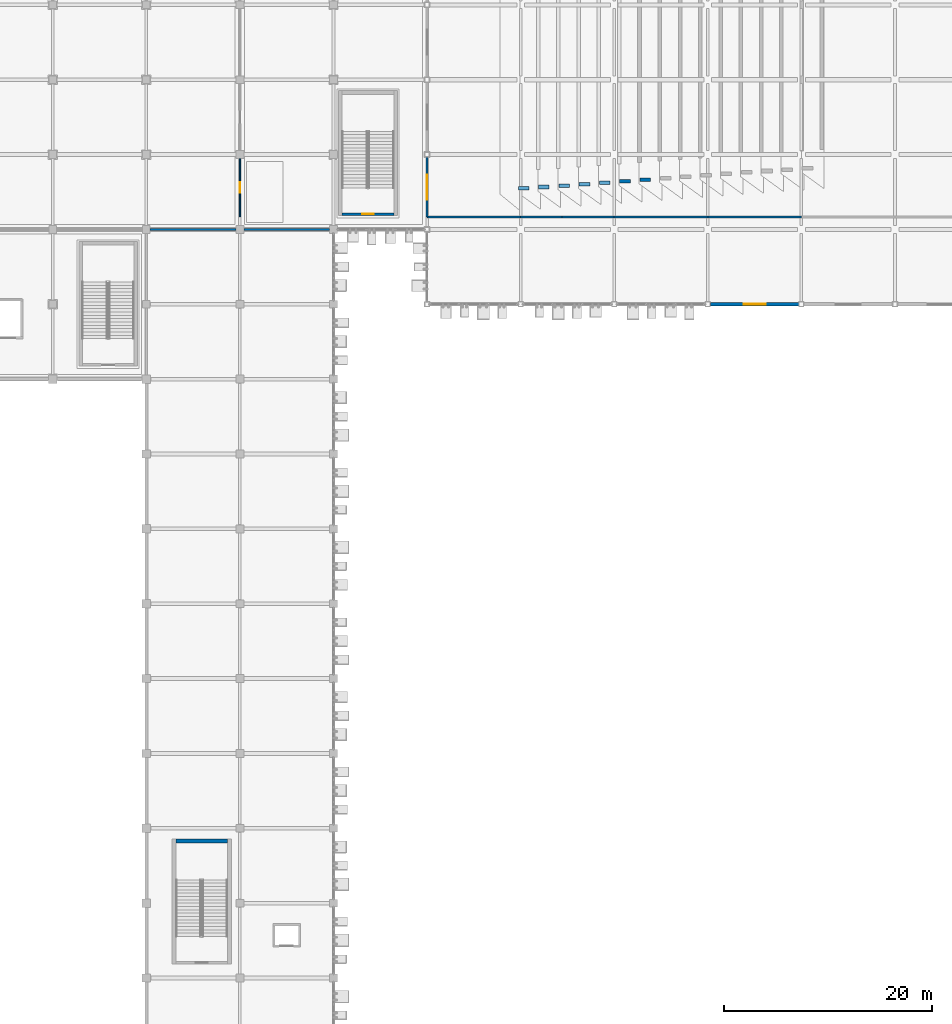
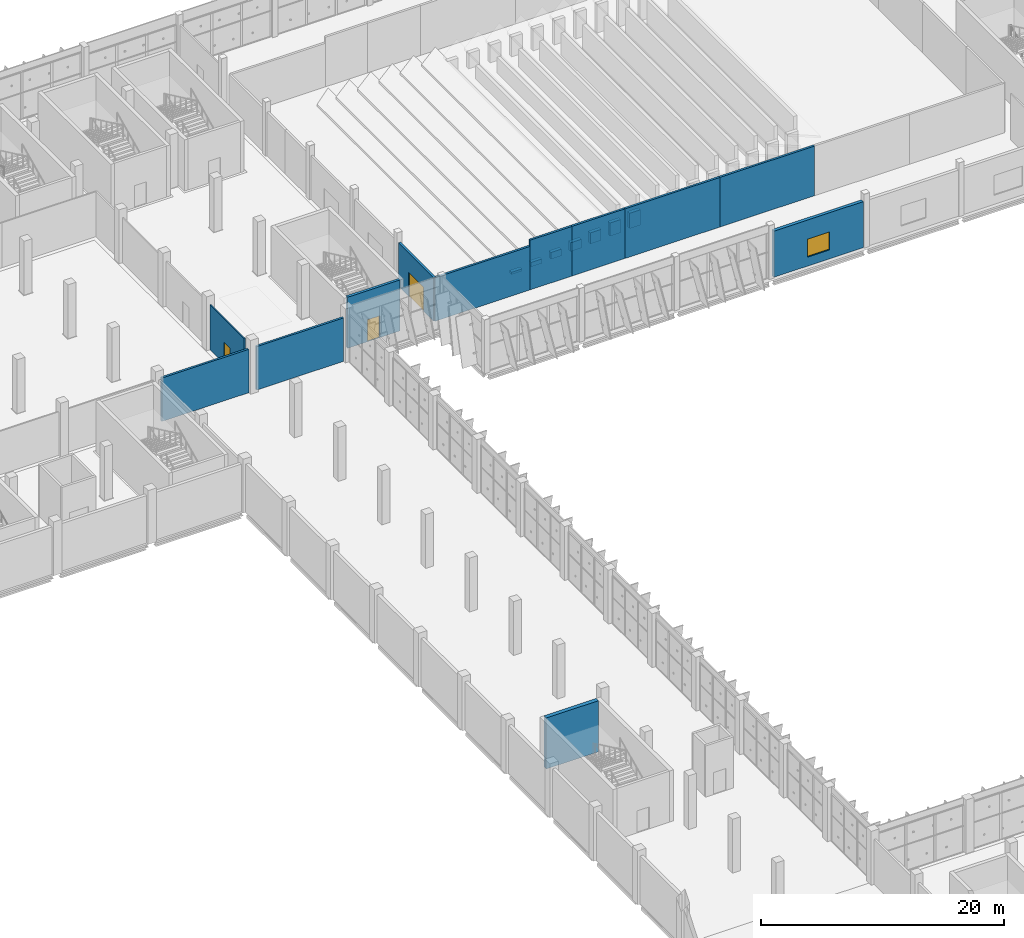
# One storey, part 137 of 189: 19 walls, 3 doors, 1 window, 4 openings.
"""IFC4 building model written with IfcOpenShell, lengths in metres."""

from ifc_helpers import new_model, si_unit, direction, frame, frame_2d, origin, place, context, subcontext, project, spatial, rectangle, extrude, material, layer, layer_set, type_object, element, fill, save


model = new_model("IFC4")

# Units and contexts
model_context = context("Model", 3, precision=1e-05, world=origin(), true_north=direction((0.0, 1.0)))
body_context = subcontext(model_context, "Body", "Model", "MODEL_VIEW")
ifc_project = project(units=[si_unit("LENGTHUNIT", "METRE"), si_unit("AREAUNIT", "SQUARE_METRE"), si_unit("VOLUMEUNIT", "CUBIC_METRE"), si_unit("PLANEANGLEUNIT", "RADIAN"), si_unit("MASSUNIT", "GRAM", prefix="KILO")], contexts=[model_context])

# Site, building, storey
site_placement = place(None, origin())
site = spatial("IfcSite", under=ifc_project, at=site_placement, CompositionType="ELEMENT")
building_placement = place(site_placement, origin())
building = spatial("IfcBuilding", under=site, at=building_placement, Name="Celestram Park Convention Centre", CompositionType="ELEMENT")
storey_placement = place(building_placement, frame((0.0, 0.0, 5.39990234375)))
storey = spatial("IfcBuildingStorey", under=building, at=storey_placement, Name="L01", CompositionType="ELEMENT", Elevation=5.39990234375)

# Walls
ifc_material_1 = material(Name="Double-Stud Acoustic Gypsum Assembly", Category="gypsum")
ifc_layer_1 = layer(ifc_material_1, 0.199951171875)
ifc_layer_set_1 = layer_set([ifc_layer_1], Name="Double-Stud Acoustic Gypsum Assembly")
wall_type_1 = type_object("IfcWallType", Name="ARC-WL-ACO200", PredefinedType="PARTITIONING", material=ifc_layer_set_1)
for number, where, z_axis, x_axis, name in (
    (1, (126.373046875, 122.39990234375, 0.0), (0.0, 0.0, 1.0), (1.0, 0.0, 0.0), "Interior partition WL-L01-IN0705"),
    (2, (135.373046875, 122.39990234375, 0.0), (0.0, 0.0, 1.0), (1.0, 0.0, 0.0), "Interior partition WL-L01-IN0706"),
):
    element("IfcWall", number, at=place(storey_placement, frame(where, z_axis=z_axis, x_axis=x_axis)), inside=storey, type_object=wall_type_1, Name=name, PredefinedType="PARTITIONING", context=body_context, shape_type="SweptSolid", body=[
        extrude(rectangle(XDim=8.25390625, YDim=0.199951171875, at=frame_2d((4.126953125, 0.0))), origin(), (0.0, 0.0, 1.0), 4.358154296875),
    ])
wall_1_placement = place(storey_placement, frame((153.0, 123.60009765625, 0.0), z_axis=(0.0, 0.0, 1.0), x_axis=(1.0, 0.0, 0.0)))
element("IfcWall", 3, at=wall_1_placement, inside=storey, type_object=wall_type_1, Name="Interior partition WL-L01-IN0707", PredefinedType="PARTITIONING", context=body_context, shape_type="SweptSolid", body=[
    extrude(rectangle(XDim=9.0, YDim=0.199951171875, at=frame_2d((4.5, 0.0))), origin(), (0.0, 0.0, 1.0), 4.3681640625),
])
wall_2_placement = place(storey_placement, frame((162.0, 123.60009765625, 0.0), z_axis=(0.0, 0.0, 1.0), x_axis=(1.0, 0.0, 0.0)))
element("IfcWall", 4, at=wall_2_placement, inside=storey, type_object=wall_type_1, Name="Interior partition WL-L01-IN0708", PredefinedType="PARTITIONING", context=body_context, shape_type="SweptSolid", body=[
    extrude(rectangle(XDim=4.0, YDim=0.199951171875, at=frame_2d((2.0, 0.0))), origin(), (0.0, 0.0, 1.0), 4.97998046875),
])
wall_3_placement = place(storey_placement, frame((166.0, 123.60009765625, 0.0), z_axis=(0.0, 0.0, 1.0), x_axis=(1.0, 0.0, 0.0)))
element("IfcWall", 5, at=wall_3_placement, inside=storey, type_object=wall_type_1, Name="Interior partition WL-L01-IN0709", PredefinedType="PARTITIONING", context=body_context, shape_type="SweptSolid", body=[
    extrude(rectangle(XDim=5.0, YDim=0.199951171875, at=frame_2d((2.5, 0.0))), origin(), (0.0, 0.0, 1.0), 4.97998046875),
])
for number, where, z_axis, x_axis, name in (
    (6, (171.0, 123.60009765625, 0.0), (0.0, 0.0, 1.0), (1.0, 0.0, 0.0), "Interior partition WL-L01-IN0710"),
    (7, (180.0, 123.60009765625, 0.0), (0.0, 0.0, 1.0), (1.0, 0.0, 0.0), "Interior partition WL-L01-IN0711"),
):
    element("IfcWall", number, at=place(storey_placement, frame(where, z_axis=z_axis, x_axis=x_axis)), inside=storey, type_object=wall_type_1, Name=name, PredefinedType="PARTITIONING", context=body_context, shape_type="SweptSolid", body=[
        extrude(rectangle(XDim=9.0, YDim=0.199951171875, at=frame_2d((4.5, 0.0))), origin(), (0.0, 0.0, 1.0), 4.97998046875),
    ])

# Wall, opening, door
wall_4_placement = place(storey_placement, frame((153.0, 123.60009765625, 0.0), z_axis=(0.0, 0.0, 1.0), x_axis=(0.0, 1.0, 0.0)))
wall_4 = element("IfcWall", 8, at=wall_4_placement, inside=storey, type_object=wall_type_1, Name="Interior partition WL-L01-IN0773", PredefinedType="PARTITIONING", context=body_context, shape_type="SweptSolid", body=[
    extrude(rectangle(XDim=5.751953125, YDim=0.199951171875, at=frame_2d((2.8759765625, 0.0))), origin(), (0.0, 0.0, 1.0), 4.3681640625),
])
opening_1_placement = place(wall_4_placement, frame((1.676025390625, 0.0, 0.0)))
opening_1 = element("IfcOpeningElement", 9, at=opening_1_placement, cuts=wall_4, Name="Opening D-01", PredefinedType="OPENING", context=body_context, shape_type="SweptSolid", body=[
    extrude(rectangle(XDim=2.39990234375, YDim=2.39990234375, at=frame_2d((1.199951171875, 1.199951171875))), frame((0.0, 0.10986328125, 0.0), z_axis=(0.0, -1.0, 0.0), x_axis=(1.0, 0.0, 0.0)), (0.0, 0.0, 1.0), 0.219970703125),
])
ifc_material_2 = material(Name="Acoustic Timber Veneer Double Door", Category="wood")
door_type_1 = type_object("IfcDoorType", Name="ARC-DR-ASM240", OperationType="NOTDEFINED", PredefinedType="DOOR", material=ifc_material_2)
door_1_placement = place(opening_1_placement, origin())
door_1 = element("IfcDoor", 10, at=door_1_placement, inside=storey, type_object=door_type_1, Name="Plenary Hall Lower Stalls entrance door", OperationType="DOUBLE_DOOR_SINGLE_SWING", OverallHeight=2.39990234375, OverallWidth=2.39990234375, PredefinedType="DOOR", context=body_context, shape_type="SweptSolid", body=[
    extrude(rectangle(XDim=2.39990234375, YDim=2.39990234375, at=frame_2d((1.199951171875, 1.199951171875))), frame((0.0, 0.02490234375, 0.0), z_axis=(0.0, -1.0, 0.0), x_axis=(1.0, 0.0, 0.0)), (0.0, 0.0, 1.0), 0.050048828125),
])
fill(opening_1, door_1)

ifc_material_3 = material(Name="Concrete Block Masonry C25/30", Category="masonry")
ifc_layer_2 = layer(ifc_material_3, 0.25)
ifc_layer_set_2 = layer_set([ifc_layer_2], Name="Concrete Block Masonry C25/30")
wall_type_2 = type_object("IfcWallType", Name="ARC-WL-COR250", PredefinedType="STANDARD", material=ifc_layer_set_2)
wall_5_placement = place(storey_placement, frame((144.840087890625, 123.875, 0.0), z_axis=(0.0, 0.0, 1.0), x_axis=(1.0, 0.0, 0.0)))
wall_5 = element("IfcWall", 11, at=wall_5_placement, inside=storey, type_object=wall_type_2, Name="Core S10 stair entrance wall", PredefinedType="STANDARD", context=body_context, shape_type="SweptSolid", body=[
    extrude(rectangle(XDim=4.9599609375, YDim=0.25, at=frame_2d((2.47998046875, 0.0))), origin(), (0.0, 0.0, 1.0), 5.1201171875),
])
opening_2_placement = place(wall_5_placement, frame((1.905029296875, 0.0, 0.0)))
opening_2 = element("IfcOpeningElement", 12, at=opening_2_placement, cuts=wall_5, Name="Opening D-ST1", PredefinedType="OPENING", context=body_context, shape_type="SweptSolid", body=[
    extrude(rectangle(XDim=1.14990234375, YDim=2.199951171875, at=frame_2d((0.574951171875, 1.10009765625))), frame((0.0, 0.135009765625, 0.0), z_axis=(0.0, -1.0, 0.0), x_axis=(1.0, 0.0, 0.0)), (0.0, 0.0, 1.0), 0.27001953125),
])
ifc_material_4 = material(Name="Fire-Rated Hollow Metal Steel ASTM A653", Category="steel")
door_type_2 = type_object("IfcDoorType", Name="ARC-DR-ST115", OperationType="NOTDEFINED", PredefinedType="DOOR", material=ifc_material_4)
door_2_placement = place(opening_2_placement, origin())
door_2 = element("IfcDoor", 13, at=door_2_placement, inside=storey, type_object=door_type_2, Name="Exit stair ST-10 fire door", OperationType="SINGLE_SWING_RIGHT", OverallHeight=2.199951171875, OverallWidth=1.14990234375, PredefinedType="DOOR", context=body_context, shape_type="SweptSolid", body=[
    extrude(rectangle(XDim=1.14990234375, YDim=2.199951171875, at=frame_2d((0.574951171875, 1.10009765625))), frame((0.0, 0.02490234375, 0.0), z_axis=(0.0, -1.0, 0.0), x_axis=(1.0, 0.0, 0.0)), (0.0, 0.0, 1.0), 0.050048828125),
])
fill(opening_2, door_2)

# Wall, opening, window
ifc_material_5 = material(Name="Precast Concrete C40/50", Category="concrete")
ifc_layer_3 = layer(ifc_material_5, 0.300048828125)
ifc_layer_set_3 = layer_set([ifc_layer_3], Name="Precast Concrete C40/50")
wall_type_3 = type_object("IfcWallType", Name="ARC-WL-EXT300", PredefinedType="STANDARD", material=ifc_layer_set_3)
wall_6_placement = place(storey_placement, frame((188.751953125, 115.199951171875, 0.0), z_axis=(0.0, 0.0, 1.0), x_axis=(-1.0, 0.0, 0.0)))
wall_6 = element("IfcWall", 14, at=wall_6_placement, inside=storey, type_object=wall_type_3, Name="Bush-hammered precast exterior wall WL-L01-EW112", PredefinedType="STANDARD", context=body_context, shape_type="SweptSolid", body=[
    extrude(rectangle(XDim=8.50390625, YDim=0.300048828125, at=frame_2d((4.251953125, 0.0))), origin(), (0.0, 0.0, 1.0), 4.6240234375),
])
opening_3_placement = place(wall_6_placement, frame((3.201904296875, 0.0, 0.89990234375)))
opening_3 = element("IfcOpeningElement", 15, at=opening_3_placement, cuts=wall_6, Name="Opening W-05", PredefinedType="OPENING", context=body_context, shape_type="SweptSolid", body=[
    extrude(rectangle(XDim=2.10009765625, YDim=1.800048828125, at=frame_2d((1.050048828125, 0.89990234375))), frame((0.0, 0.159912109375, 0.0), z_axis=(0.0, -1.0, 0.0), x_axis=(1.0, 0.0, 0.0)), (0.0, 0.0, 1.0), 0.320068359375),
])
ifc_material_6 = material(Name="Thermally Broken Aluminium & Triple Glazing", Category="aluminium")
window_type = type_object("IfcWindowType", Name="ARC-WN-210X180", PartitioningType="SINGLE_PANEL", PredefinedType="WINDOW", material=ifc_material_6)
window_placement = place(opening_3_placement, origin())
window = element("IfcWindow", 16, at=window_placement, inside=storey, type_object=window_type, Name="Punched exterior window WN-L01-029", OverallHeight=1.800048828125, OverallWidth=2.10009765625, PartitioningType="SINGLE_PANEL", PredefinedType="WINDOW", context=body_context, shape_type="SweptSolid", body=[
    extrude(rectangle(XDim=2.10009765625, YDim=1.800048828125, at=frame_2d((1.050048828125, 0.89990234375))), frame((0.0, 0.030029296875, 0.0), z_axis=(0.0, -1.0, 0.0), x_axis=(1.0, 0.0, 0.0)), (0.0, 0.0, 1.0), 0.06005859375),
])
fill(opening_3, window)

# Wall, opening, door
ifc_material_7 = material(Name="Standard Gypsum & Steel Stud 120 mm", Category="steel")
ifc_layer_4 = layer(ifc_material_7, 0.1201171875)
ifc_layer_set_4 = layer_set([ifc_layer_4], Name="Standard Gypsum & Steel Stud 120 mm")
wall_type_4 = type_object("IfcWallType", Name="ARC-WL-PRT120", PredefinedType="PARTITIONING", material=ifc_layer_set_4)
wall_7_placement = place(storey_placement, frame((135.0, 123.60009765625, 0.0), z_axis=(0.0, 0.0, 1.0), x_axis=(0.0, 1.0, 0.0)))
wall_7 = element("IfcWall", 17, at=wall_7_placement, inside=storey, type_object=wall_type_4, Name="Interior partition WL-L01-IN0767", PredefinedType="PARTITIONING", context=body_context, shape_type="SweptSolid", body=[
    extrude(rectangle(XDim=5.626953125, YDim=0.1201171875, at=frame_2d((2.8134765625, 0.0))), origin(), (0.0, 0.0, 1.0), 4.508056640625),
])
opening_4_placement = place(wall_7_placement, frame((2.3134765625, 0.0, 0.0)))
opening_4 = element("IfcOpeningElement", 18, at=opening_4_placement, cuts=wall_7, Name="Opening D-07", PredefinedType="OPENING", context=body_context, shape_type="SweptSolid", body=[
    extrude(rectangle(XDim=1.0, YDim=2.14990234375, at=frame_2d((0.5, 1.074951171875))), frame((0.0, 0.070068359375, 0.0), z_axis=(0.0, -1.0, 0.0), x_axis=(1.0, 0.0, 0.0)), (0.0, 0.0, 1.0), 0.14013671875),
])
ifc_material_8 = material(Name="Solid Core White Oak Single Door", Category="wood")
door_type_3 = type_object("IfcDoorType", Name="ARC-DR-RM100", OperationType="NOTDEFINED", PredefinedType="DOOR", material=ifc_material_8)
door_3_placement = place(opening_4_placement, origin())
door_3 = element("IfcDoor", 19, at=door_3_placement, inside=storey, type_object=door_type_3, Name="Lakefront Delegate Dining Hall entrance door", OperationType="SINGLE_SWING_RIGHT", OverallHeight=2.14990234375, OverallWidth=1.0, PredefinedType="DOOR", context=body_context, shape_type="SweptSolid", body=[
    extrude(rectangle(XDim=1.0, YDim=2.14990234375, at=frame_2d((0.5, 1.074951171875))), frame((0.0, 0.02490234375, 0.0), z_axis=(0.0, -1.0, 0.0), x_axis=(1.0, 0.0, 0.0)), (0.0, 0.0, 1.0), 0.050048828125),
])
fill(opening_4, door_3)

# Walls
ifc_material_9 = material(Name="Concrete C40/50", Category="concrete")
ifc_layer_5 = layer(ifc_material_9, 0.340087890625)
ifc_layer_set_5 = layer_set([ifc_layer_5], Name="Concrete C40/50")
wall_type_5 = type_object("IfcWallType", Name="STR-WL-SHR340", PredefinedType="SHEAR", material=ifc_layer_set_5)
wall_8_placement = place(storey_placement, frame((161.780029296875, 126.340087890625, 0.0), z_axis=(0.0, 0.0, 1.0), x_axis=(1.0, 0.0, 0.0)))
element("IfcWall", 20, at=wall_8_placement, inside=storey, type_object=wall_type_5, Name="Plenary stalls raker wall 2S", PredefinedType="SHEAR", context=body_context, shape_type="SweptSolid", body=[
    extrude(rectangle(XDim=1.02001953125, YDim=0.340087890625, at=frame_2d((0.510009765625, 0.0))), origin(), (0.0, 0.0, 1.0), 0.22021484375),
])
wall_9_placement = place(storey_placement, frame((163.72998046875, 126.47998046875, 0.0), z_axis=(0.0, 0.0, 1.0), x_axis=(1.0, 0.0, 0.0)))
element("IfcWall", 21, at=wall_9_placement, inside=storey, type_object=wall_type_5, Name="Plenary stalls raker wall 3S", PredefinedType="SHEAR", context=body_context, shape_type="SweptSolid", body=[
    extrude(rectangle(XDim=1.02001953125, YDim=0.340087890625, at=frame_2d((0.510009765625, 0.0))), origin(), (0.0, 0.0, 1.0), 0.440185546875),
])
wall_10_placement = place(storey_placement, frame((165.679931640625, 126.6201171875, 0.0), z_axis=(0.0, 0.0, 1.0), x_axis=(1.0, 0.0, 0.0)))
element("IfcWall", 22, at=wall_10_placement, inside=storey, type_object=wall_type_5, Name="Plenary stalls raker wall 4S", PredefinedType="SHEAR", context=body_context, shape_type="SweptSolid", body=[
    extrude(rectangle(XDim=1.02001953125, YDim=0.340087890625, at=frame_2d((0.510009765625, 0.0))), origin(), (0.0, 0.0, 1.0), 0.66015625),
])
wall_11_placement = place(storey_placement, frame((167.6298828125, 126.760009765625, 0.0), z_axis=(0.0, 0.0, 1.0), x_axis=(1.0, 0.0, 0.0)))
element("IfcWall", 23, at=wall_11_placement, inside=storey, type_object=wall_type_5, Name="Plenary stalls raker wall 5S", PredefinedType="SHEAR", context=body_context, shape_type="SweptSolid", body=[
    extrude(rectangle(XDim=1.02001953125, YDim=0.340087890625, at=frame_2d((0.510009765625, 0.0))), origin(), (0.0, 0.0, 1.0), 0.880126953125),
])
wall_12_placement = place(storey_placement, frame((169.580078125, 126.89990234375, 0.0), z_axis=(0.0, 0.0, 1.0), x_axis=(1.0, 0.0, 0.0)))
element("IfcWall", 24, at=wall_12_placement, inside=storey, type_object=wall_type_5, Name="Plenary stalls raker wall 6S", PredefinedType="SHEAR", context=body_context, shape_type="SweptSolid", body=[
    extrude(rectangle(XDim=1.02001953125, YDim=0.340087890625, at=frame_2d((0.510009765625, 0.0))), origin(), (0.0, 0.0, 1.0), 1.10009765625),
])
wall_13_placement = place(storey_placement, frame((171.530029296875, 127.0400390625, 0.0), z_axis=(0.0, 0.0, 1.0), x_axis=(1.0, 0.0, 0.0)))
element("IfcWall", 25, at=wall_13_placement, inside=storey, type_object=wall_type_5, Name="Plenary stalls raker wall 7S", PredefinedType="SHEAR", context=body_context, shape_type="SweptSolid", body=[
    extrude(rectangle(XDim=1.02001953125, YDim=0.340087890625, at=frame_2d((0.510009765625, 0.0))), origin(), (0.0, 0.0, 1.0), 1.320068359375),
])
wall_14_placement = place(storey_placement, frame((173.47998046875, 127.179931640625, 0.0), z_axis=(0.0, 0.0, 1.0), x_axis=(1.0, 0.0, 0.0)))
element("IfcWall", 26, at=wall_14_placement, inside=storey, type_object=wall_type_5, Name="Plenary stalls raker wall 8S", PredefinedType="SHEAR", context=body_context, shape_type="SweptSolid", body=[
    extrude(rectangle(XDim=1.02001953125, YDim=0.340087890625, at=frame_2d((0.510009765625, 0.0))), origin(), (0.0, 0.0, 1.0), 1.5400390625),
])
ifc_layer_6 = layer(ifc_material_9, 0.3798828125)
ifc_layer_set_6 = layer_set([ifc_layer_6], Name="Concrete C40/50")
wall_type_6 = type_object("IfcWallType", Name="STR-WL-SHR380", PredefinedType="SHEAR", material=ifc_layer_set_6)
wall_15_placement = place(storey_placement, frame((128.840087890625, 63.590087890625, 0.0), z_axis=(0.0, 0.0, 1.0), x_axis=(1.0, 0.0, 0.0)))
element("IfcWall", 27, at=wall_15_placement, inside=storey, type_object=wall_type_6, Name="Core C4 shear wall F", PredefinedType="SHEAR", context=body_context, shape_type="SweptSolid", body=[
    extrude(rectangle(XDim=4.9599609375, YDim=0.3798828125, at=frame_2d((2.47998046875, 0.0))), origin(), (0.0, 0.0, 1.0), 5.1201171875),
])

save(model, "model.ifc")
